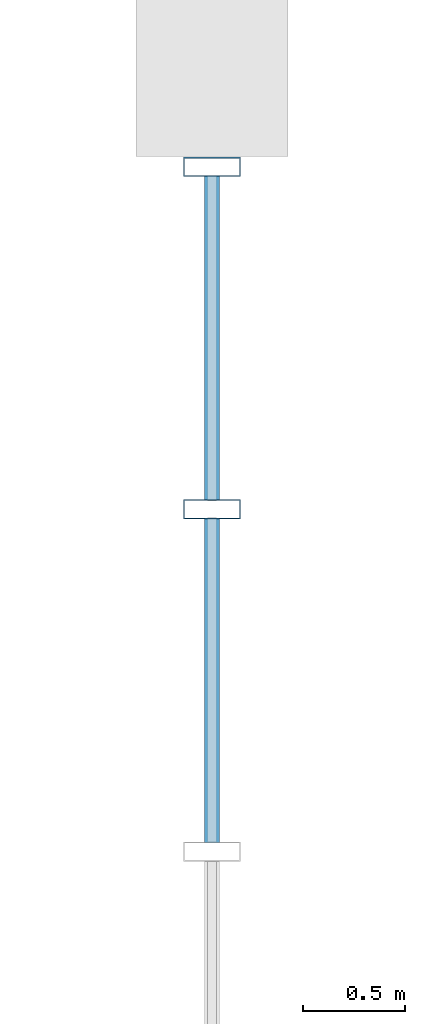
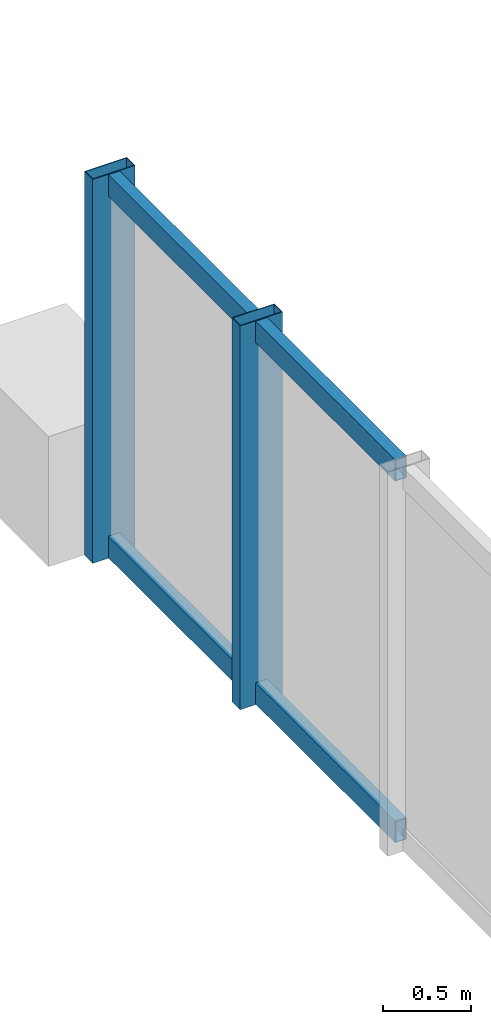
# One storey, part 5 of 28: 6 members, 1 element without a shape of its own.
"""IFC4 building model written with IfcOpenShell, lengths in metres."""

import ifcopenshell
import ifcopenshell.guid

model = None  # the IFC model being written
_history = None  # IfcOwnerHistory: only IFC2X3 demands one
_inside = {}  # id of a spatial element -> (the spatial element, [elements in it])
_under = {}  # id of a project, library or spatial element -> (it, [spatial elements below it])
_declared = {}  # id of a project -> (the project, [libraries it declares])
_typed = {}  # id of a type object -> (the type object, [elements of that type])
_made_of = {}  # id of a material, layer set ... -> (it, [elements and type objects made of it])


def new_model(schema):
    """Start an empty IFC model of exactly this schema.

    Asked for "IFC4X3", IfcOpenShell would pick the latest addendum, in which some entities
    have other attributes; the version numbers below select the first issue.
    IFC2X3 requires an IfcOwnerHistory on every rooted entity: one is made here for all.
    """
    global model, _history
    if schema == "IFC4X3":
        model = ifcopenshell.file(schema_version=(4, 3, 0, 0))
    else:
        model = ifcopenshell.file(schema=schema)
    _inside.clear()
    _under.clear()
    _declared.clear()
    _typed.clear()
    _made_of.clear()
    _history = None
    if model.schema == "IFC2X3":
        org = make("IfcOrganization", Name="unknown")
        user = make(
            "IfcPersonAndOrganization",
            ThePerson=make("IfcPerson", FamilyName="unknown"),
            TheOrganization=org,
        )
        app = make(
            "IfcApplication",
            ApplicationDeveloper=org,
            Version="unknown",
            ApplicationFullName="unknown",
            ApplicationIdentifier="unknown",
        )
        _history = make(
            "IfcOwnerHistory",
            OwningUser=user,
            OwningApplication=app,
            ChangeAction="ADDED",
            CreationDate=0,
        )
    return model


def make(cls, **values):
    """One entity of the class cls with the attributes given. An attribute that is None is left unset."""
    return model.create_entity(
        cls, **{name: value for name, value in values.items() if value is not None}
    )


def rooted(cls, **values):
    """An entity with a GlobalId (a new one), such as an element, a storey or a relation."""
    return make(cls, GlobalId=ifcopenshell.guid.new(), OwnerHistory=_history, **values)


def si_unit(unit_type, name, prefix=None):
    """IfcSIUnit, for example si_unit("LENGTHUNIT", "METRE", prefix="MILLI")."""
    return make("IfcSIUnit", UnitType=unit_type, Prefix=prefix, Name=name)


def assignment(units):
    """IfcUnitAssignment: the units of a project."""
    return None if units is None else make("IfcUnitAssignment", Units=units)


def point(xyz):
    """IfcCartesianPoint."""
    return None if xyz is None else make("IfcCartesianPoint", Coordinates=xyz)


def direction(xyz):
    """IfcDirection."""
    return None if xyz is None else make("IfcDirection", DirectionRatios=xyz)


def frame(location, z_axis=None, x_axis=None):
    """IfcAxis2Placement3D, a coordinate frame: its origin and axes. An axis left out is left unset."""
    return make(
        "IfcAxis2Placement3D",
        Location=point(location),
        Axis=direction(z_axis),
        RefDirection=direction(x_axis),
    )


def frame_2d(location, x_axis=None):
    """IfcAxis2Placement2D, a coordinate frame in the plane: its origin and x axis."""
    return make(
        "IfcAxis2Placement2D", Location=point(location), RefDirection=direction(x_axis)
    )


def origin():
    """The frame at (0, 0, 0) with its axes left unset."""
    return frame((0.0, 0.0, 0.0))


def origin_2d():
    """The frame at (0, 0) in the plane with its x axis left unset."""
    return frame_2d((0.0, 0.0))


def place(relative_to, where):
    """IfcLocalPlacement: puts the frame where relative to a parent placement (None: the world)."""
    return make(
        "IfcLocalPlacement", PlacementRelTo=relative_to, RelativePlacement=where
    )


def context(
    kind, dimensions, precision=None, world=None, true_north=None, identifier=None
):
    """IfcGeometricRepresentationContext, for example the 3D "Model" context."""
    return make(
        "IfcGeometricRepresentationContext",
        ContextIdentifier=identifier,
        ContextType=kind,
        CoordinateSpaceDimension=dimensions,
        Precision=precision,
        WorldCoordinateSystem=world,
        TrueNorth=true_north,
    )


def subcontext(parent, identifier, kind, view, scale=None):
    """IfcGeometricRepresentationSubContext, for example "Body" below "Model"."""
    return make(
        "IfcGeometricRepresentationSubContext",
        ContextIdentifier=identifier,
        ContextType=kind,
        ParentContext=parent,
        TargetScale=scale,
        TargetView=view,
    )


def project(units=None, contexts=None):
    """IfcProject with its units and contexts."""
    return rooted(
        "IfcProject",
        Name="project",
        RepresentationContexts=contexts,
        UnitsInContext=assignment(units),
    )


def spatial(cls, under=None, at=None, **own):
    """A site, building, storey or space (cls), placed at a placement, below another one or the project."""
    s = rooted(cls, ObjectPlacement=at, **own)
    if under is not None:
        _under.setdefault(under.id(), (under, []))[1].append(s)
    return s


def profile(cls, at=None, kind="AREA", **sizes):
    """A parametric profile (cls). Its sizes go by their IFC names, for example OverallWidth=200.0."""
    return make(cls, ProfileType=kind, Position=at, **sizes)


def hollow_rectangle(**sizes):
    """IfcRectangleHollowProfileDef."""
    return profile("IfcRectangleHollowProfileDef", **sizes)


def extrude(swept, where, along, depth):
    """IfcExtrudedAreaSolid: the profile swept, set in the frame where, extruded along a direction by depth."""
    return make(
        "IfcExtrudedAreaSolid",
        SweptArea=swept,
        Position=where,
        ExtrudedDirection=direction(along),
        Depth=depth,
    )


def shape(context_of_items, identifier, shape_type, items):
    """IfcShapeRepresentation: the items that make up one representation, for example the "Body"."""
    return make(
        "IfcShapeRepresentation",
        ContextOfItems=context_of_items,
        RepresentationIdentifier=identifier,
        RepresentationType=shape_type,
        Items=items,
    )


def material(Name=None, Category=None):
    """IfcMaterial."""
    return make("IfcMaterial", Name=Name, Category=Category)


def layer(
    of_material, thickness, ventilated=None, Name=None, Category=None, Priority=None
):
    """IfcMaterialLayer: one layer of a wall or slab, of a material (None: an air gap)."""
    return make(
        "IfcMaterialLayer",
        Material=of_material,
        LayerThickness=thickness,
        IsVentilated=ventilated,
        Name=Name,
        Category=Category,
        Priority=Priority,
    )


def layer_set(layers, Name=None):
    """IfcMaterialLayerSet."""
    return make("IfcMaterialLayerSet", MaterialLayers=layers, LayerSetName=Name)


def material_profile(
    of_material, cross_section, Name=None, Category=None, Priority=None
):
    """IfcMaterialProfile: a cross section and its material."""
    return make(
        "IfcMaterialProfile",
        Name=Name,
        Material=of_material,
        Profile=cross_section,
        Priority=Priority,
        Category=Category,
    )


def profile_set(profiles, Name=None, composite=None):
    """IfcMaterialProfileSet."""
    return make(
        "IfcMaterialProfileSet",
        Name=Name,
        MaterialProfiles=profiles,
        CompositeProfile=composite,
    )


def made_of(thing, what):
    """Note that an element or type object is made of a material, layer set ...; save() writes the relation."""
    if what is not None:
        _made_of.setdefault(what.id(), (what, []))[1].append(thing)
    return thing


def type_object(cls, material=None, **own):
    """A type object (cls), such as IfcWallType, which elements share."""
    return made_of(rooted(cls, **own), material)


def element(
    cls,
    number,
    at=None,
    inside=None,
    cuts=None,
    type_object=None,
    material=None,
    context=None,
    identifier="Body",
    shape_type=None,
    held_by="IfcProductDefinitionShape",
    body=None,
    shapes=None,
    **own,
):
    """One element of the class cls, such as IfcWall. Its Tag is "e" and its number.

    at: its placement. inside: the storey or other place that contains it. cuts: it is an
    opening in that element (IfcRelVoidsElement). A single representation is given by context,
    identifier, shape_type and body (its items); several are given by shapes. held_by: the class
    of the entity that holds the representations. save() writes the other relations.
    """
    e = rooted(cls, Tag="e%d" % number, ObjectPlacement=at, **own)
    if body is not None:
        shapes = [shape(context, identifier, shape_type, body)]
    if shapes is not None:
        e.Representation = make(held_by, Representations=shapes)
    if inside is not None:
        _inside.setdefault(inside.id(), (inside, []))[1].append(e)
    if cuts is not None:
        rooted(
            "IfcRelVoidsElement", RelatingBuildingElement=cuts, RelatedOpeningElement=e
        )
    if type_object is not None:
        _typed.setdefault(type_object.id(), (type_object, []))[1].append(e)
    return made_of(e, material)


def aggregate(whole, parts):
    """IfcRelAggregates: a whole, such as a stair, and the parts it consists of."""
    return rooted("IfcRelAggregates", RelatingObject=whole, RelatedObjects=parts)


def save(model, path):
    """Write the relations noted so far, then the file.

    IfcRelAggregates (storeys below a building ...), IfcRelContainedInSpatialStructure (elements
    in a storey), IfcRelDefinesByType, IfcRelAssociatesMaterial and IfcRelDeclares: one each for
    every whole, place, type object, material and project.
    """
    for whole, parts in _under.values():
        aggregate(whole, parts)
    for where, things in _inside.values():
        rooted(
            "IfcRelContainedInSpatialStructure",
            RelatedElements=things,
            RelatingStructure=where,
        )
    for kind, things in _typed.values():
        rooted("IfcRelDefinesByType", RelatedObjects=things, RelatingType=kind)
    for what, things in _made_of.values():
        rooted("IfcRelAssociatesMaterial", RelatedObjects=things, RelatingMaterial=what)
    for by, libraries in _declared.values():
        rooted("IfcRelDeclares", RelatingContext=by, RelatedDefinitions=libraries)
    model.write(path)


model = new_model("IFC4")

# Units and contexts
model_context = context("Model", 3, precision=1e-05, world=origin(), true_north=direction((0.0, 1.0)))
body_context = subcontext(model_context, "Body", "Model", "MODEL_VIEW")
ifc_project = project(units=[si_unit("LENGTHUNIT", "METRE"), si_unit("AREAUNIT", "SQUARE_METRE"), si_unit("VOLUMEUNIT", "CUBIC_METRE"), si_unit("PLANEANGLEUNIT", "RADIAN"), si_unit("MASSUNIT", "GRAM", prefix="KILO"), si_unit("POWERUNIT", "WATT"), si_unit("THERMODYNAMICTEMPERATUREUNIT", "KELVIN")], contexts=[model_context])

# Site, building, storey
site_placement = place(None, origin())
site = spatial("IfcSite", under=ifc_project, at=site_placement, CompositionType="ELEMENT")
building_placement = place(site_placement, origin())
building = spatial("IfcBuilding", under=site, at=building_placement, Name="Kelmbourne Parkland Aquatics Centre", CompositionType="ELEMENT")
storey_placement = place(building_placement, frame((0.0, 0.0, 19.199951171875)))
storey = spatial("IfcBuildingStorey", under=building, at=storey_placement, Name="L04", CompositionType="ELEMENT", Elevation=19.199951171875)

# Curtain wall, members
ifc_material = material(Name="Thermally broken anodised aluminium framing", Category="aluminium")
ifc_layer = layer(ifc_material, 0.179931640625)
ifc_layer_set = layer_set([ifc_layer], Name="Thermally broken anodised aluminium framing")
curtain_wall_type = type_object("IfcCurtainWallType", Name="CW-04", PredefinedType="NOTDEFINED", material=ifc_layer_set)
curtain_wall_placement = place(storey_placement, origin())
curtain_wall = element("IfcCurtainWall", 1, at=curtain_wall_placement, inside=storey, type_object=curtain_wall_type, Name="Wave-hall clerestory curtain wall CW-L04-028", PredefinedType="NOTDEFINED")
ifc_material_profile_1 = material_profile(ifc_material, hollow_rectangle(XDim=0.094970703125, YDim=0.280029296875, WallThickness=0.005615234375, at=origin_2d()), Name="CW-M 95x280")
ifc_profile_set_1 = profile_set([ifc_material_profile_1], Name="Thermally broken anodised aluminium framing")
member_type_1 = type_object("IfcMemberType", Name="MB-MUL-4", PredefinedType="MULLION", material=ifc_profile_set_1)
member_1_placement = place(storey_placement, frame((128.0, 21.316162109375, 0.0), z_axis=(0.0, 0.0, 1.0), x_axis=(0.0, 1.0, 0.0)))
member_1 = element("IfcMember", 2, at=member_1_placement, type_object=member_type_1, Name="CW-L04-028 mullion 2", PredefinedType="MULLION", context=body_context, shape_type="SweptSolid", body=[
    extrude(hollow_rectangle(XDim=0.094970703125, YDim=0.280029296875, WallThickness=0.005615234375, at=origin_2d()), origin(), (0.0, 0.0, 1.0), 2.677490234375),
])
member_2_placement = place(storey_placement, frame((128.0, 23.00048828125, 0.0), z_axis=(0.0, 0.0, 1.0), x_axis=(0.0, 1.0, 0.0)))
member_2 = element("IfcMember", 3, at=member_2_placement, type_object=member_type_1, Name="CW-L04-028 mullion 3", PredefinedType="MULLION", context=body_context, shape_type="SweptSolid", body=[
    extrude(hollow_rectangle(XDim=0.094970703125, YDim=0.280029296875, WallThickness=0.005615234375, at=origin_2d()), origin(), (0.0, 0.0, 1.0), 2.677490234375),
])
ifc_material_profile_2 = material_profile(ifc_material, hollow_rectangle(XDim=0.074951171875, YDim=0.14990234375, WallThickness=0.00390625, at=origin_2d()), Name="CW-T 75x150")
ifc_profile_set_2 = profile_set([ifc_material_profile_2], Name="Thermally broken anodised aluminium framing")
member_type_2 = type_object("IfcMemberType", Name="MB-TRN-2", PredefinedType="USERDEFINED", material=ifc_profile_set_2)
member_3_placement = place(storey_placement, frame((128.0, 19.67529296875, 0.078125), z_axis=(0.0, 1.0, 0.0), x_axis=(-1.0, 0.0, 0.0)))
member_3 = element("IfcMember", 4, at=member_3_placement, type_object=member_type_2, Name="CW-L04-028 transom 0-1", ObjectType="TRANSOM", PredefinedType="USERDEFINED", context=body_context, shape_type="SweptSolid", body=[
    extrude(hollow_rectangle(XDim=0.074951171875, YDim=0.14990234375, WallThickness=0.00390625, at=origin_2d()), origin(), (0.0, 0.0, 1.0), 1.597412109375),
])
member_4_placement = place(storey_placement, frame((128.0, 21.359619140625, 0.078125), z_axis=(0.0, 1.0, 0.0), x_axis=(-1.0, 0.0, 0.0)))
member_4 = element("IfcMember", 5, at=member_4_placement, type_object=member_type_2, Name="CW-L04-028 transom 0-2", ObjectType="TRANSOM", PredefinedType="USERDEFINED", context=body_context, shape_type="SweptSolid", body=[
    extrude(hollow_rectangle(XDim=0.074951171875, YDim=0.14990234375, WallThickness=0.00390625, at=origin_2d()), origin(), (0.0, 0.0, 1.0), 1.597412109375),
])
member_5_placement = place(storey_placement, frame((128.0, 19.67529296875, 2.599365234375), z_axis=(0.0, 1.0, 0.0), x_axis=(-1.0, 0.0, 0.0)))
member_5 = element("IfcMember", 6, at=member_5_placement, type_object=member_type_2, Name="CW-L04-028 transom 1-1", ObjectType="TRANSOM", PredefinedType="USERDEFINED", context=body_context, shape_type="SweptSolid", body=[
    extrude(hollow_rectangle(XDim=0.074951171875, YDim=0.14990234375, WallThickness=0.00390625, at=origin_2d()), origin(), (0.0, 0.0, 1.0), 1.597412109375),
])
member_6_placement = place(storey_placement, frame((128.0, 21.359619140625, 2.599365234375), z_axis=(0.0, 1.0, 0.0), x_axis=(-1.0, 0.0, 0.0)))
member_6 = element("IfcMember", 7, at=member_6_placement, type_object=member_type_2, Name="CW-L04-028 transom 1-2", ObjectType="TRANSOM", PredefinedType="USERDEFINED", context=body_context, shape_type="SweptSolid", body=[
    extrude(hollow_rectangle(XDim=0.074951171875, YDim=0.14990234375, WallThickness=0.00390625, at=origin_2d()), origin(), (0.0, 0.0, 1.0), 1.597412109375),
])
aggregate(curtain_wall, [member_1, member_2, member_3, member_4, member_5, member_6])

save(model, "model.ifc")
